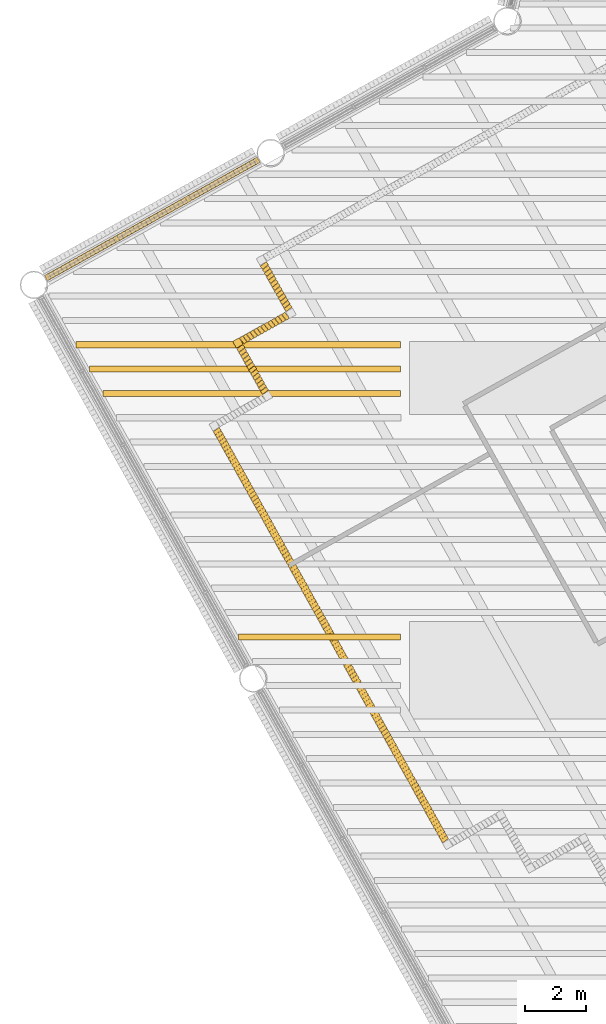
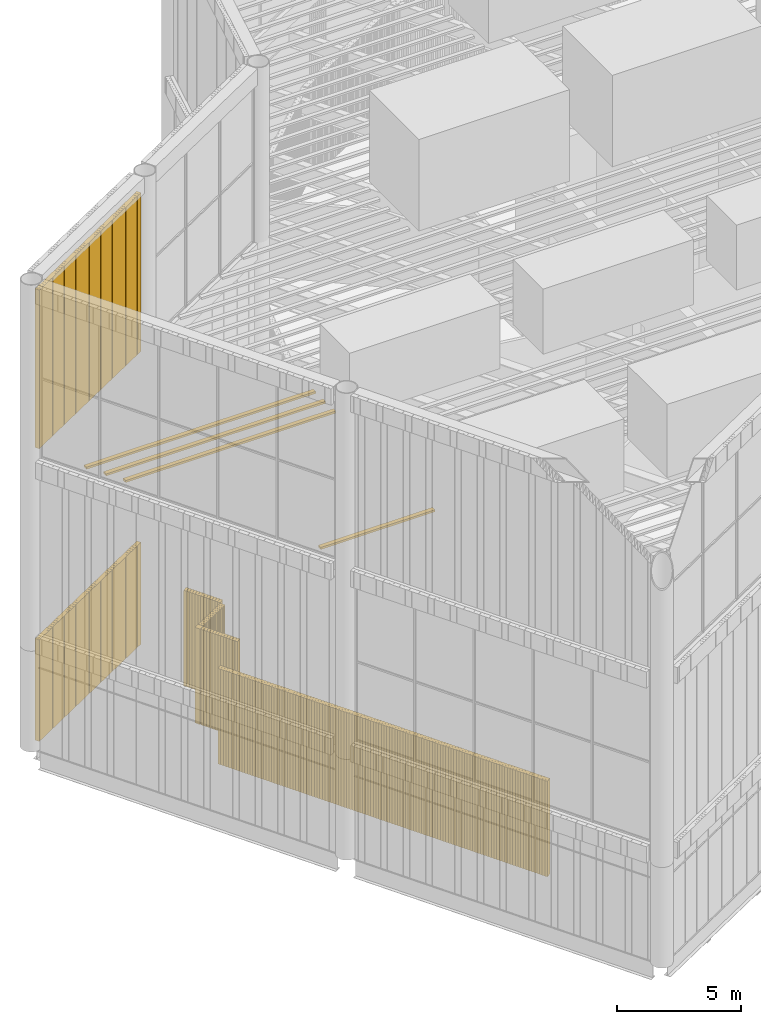
# One storey, part 91 of 117: 9 shading devices, 2 coverings.
"""IFC4 building model written with IfcOpenShell, lengths in metres."""

from ifc_helpers import new_model, si_unit, direction, frame, frame_2d, origin, origin_2d, place, context, subcontext, project, spatial, rectangle, composite_profile, extrude, material, type_object, element, save


model = new_model("IFC4")

# Units and contexts
model_context = context("Model", 3, precision=1e-05, world=origin(), true_north=direction((0.0, 1.0)))
body_context = subcontext(model_context, "Body", "Model", "MODEL_VIEW")
ifc_project = project(units=[si_unit("LENGTHUNIT", "METRE"), si_unit("AREAUNIT", "SQUARE_METRE"), si_unit("VOLUMEUNIT", "CUBIC_METRE"), si_unit("PLANEANGLEUNIT", "RADIAN"), si_unit("MASSUNIT", "GRAM", prefix="KILO")], contexts=[model_context])

# Site, building, storey
site_placement = place(None, origin())
site = spatial("IfcSite", under=ifc_project, at=site_placement, CompositionType="ELEMENT")
building_placement = place(site_placement, origin())
building = spatial("IfcBuilding", under=site, at=building_placement, Name="Tarsis Ring Headquarters", CompositionType="ELEMENT")
storey_placement = place(building_placement, frame((0.0, 0.0, 403.60009765625)))
storey = spatial("IfcBuildingStorey", under=building, at=storey_placement, Name="L95", CompositionType="ELEMENT", Elevation=403.60009765625)

# Coverings
ifc_material_1 = material(Name="Terracotta louvre", Category="masonry")
covering_type = type_object("IfcCoveringType", Name="Crown louvre fin", PredefinedType="CLADDING", material=ifc_material_1)
covering_1_placement = place(storey_placement, frame((-37.214599609375, -3.7890625, 0.0), z_axis=(0.0, 0.0, 1.0), x_axis=(-0.873594132029, -0.486644254279, 0.0)))
element("IfcCovering", 1, at=covering_1_placement, inside=storey, type_object=covering_type, Name="Crown louvre base 15", PredefinedType="CLADDING", context=body_context, shape_type="SweptSolid", body=[
    extrude(composite_profile([rectangle(XDim=0.14501953125, YDim=0.199951171875, at=frame_2d((0.072509765625, 0.0))), rectangle(XDim=0.14501953125, YDim=0.199951171875, at=frame_2d((0.223388671875, 0.0))), rectangle(XDim=0.14501953125, YDim=0.199951171875, at=frame_2d((0.374267578125, 0.0))), rectangle(XDim=0.14501953125, YDim=0.199951171875, at=frame_2d((0.52490234375, 0.0))), rectangle(XDim=0.14501953125, YDim=0.199951171875, at=frame_2d((0.67578125, 0.0))), rectangle(XDim=0.14501953125, YDim=0.199951171875, at=frame_2d((0.82666015625, 0.0))), rectangle(XDim=0.14501953125, YDim=0.199951171875, at=frame_2d((0.9775390625, 0.0))), rectangle(XDim=0.14501953125, YDim=0.199951171875, at=frame_2d((1.12841796875, 0.0))), rectangle(XDim=0.14501953125, YDim=0.199951171875, at=frame_2d((1.279052734375, 0.0))), rectangle(XDim=0.14501953125, YDim=0.199951171875, at=frame_2d((1.429931640625, 0.0))), rectangle(XDim=0.14501953125, YDim=0.199951171875, at=frame_2d((1.580810546875, 0.0))), rectangle(XDim=0.14501953125, YDim=0.199951171875, at=frame_2d((1.731689453125, 0.0))), rectangle(XDim=0.14501953125, YDim=0.199951171875, at=frame_2d((1.882568359375, 0.0))), rectangle(XDim=0.14501953125, YDim=0.199951171875, at=frame_2d((2.033203125, 0.0))), rectangle(XDim=0.14501953125, YDim=0.199951171875, at=frame_2d((2.18408203125, 0.0))), rectangle(XDim=0.14501953125, YDim=0.199951171875, at=frame_2d((2.3349609375, 0.0))), rectangle(XDim=0.14501953125, YDim=0.199951171875, at=frame_2d((2.48583984375, 0.0))), rectangle(XDim=0.14501953125, YDim=0.199951171875, at=frame_2d((2.63671875, 0.0))), rectangle(XDim=0.14501953125, YDim=0.199951171875, at=frame_2d((2.78759765625, 0.0))), rectangle(XDim=0.14501953125, YDim=0.199951171875, at=frame_2d((2.938232421875, 0.0))), rectangle(XDim=0.14501953125, YDim=0.199951171875, at=frame_2d((3.089111328125, 0.0))), rectangle(XDim=0.14501953125, YDim=0.199951171875, at=frame_2d((3.239990234375, 0.0))), rectangle(XDim=0.14501953125, YDim=0.199951171875, at=frame_2d((3.390869140625, 0.0))), rectangle(XDim=0.14501953125, YDim=0.199951171875, at=frame_2d((3.541748046875, 0.0))), rectangle(XDim=0.14501953125, YDim=0.199951171875, at=frame_2d((3.6923828125, 0.0))), rectangle(XDim=0.14501953125, YDim=0.199951171875, at=frame_2d((3.84326171875, 0.0))), rectangle(XDim=0.14501953125, YDim=0.199951171875, at=frame_2d((3.994140625, 0.0))), rectangle(XDim=0.14501953125, YDim=0.199951171875, at=frame_2d((4.14501953125, 0.0))), rectangle(XDim=0.14501953125, YDim=0.199951171875, at=frame_2d((4.2958984375, 0.0))), rectangle(XDim=0.14501953125, YDim=0.199951171875, at=frame_2d((4.446533203125, 0.0))), rectangle(XDim=0.14501953125, YDim=0.199951171875, at=frame_2d((4.597412109375, 0.0))), rectangle(XDim=0.14501953125, YDim=0.199951171875, at=frame_2d((4.748291015625, 0.0))), rectangle(XDim=0.14501953125, YDim=0.199951171875, at=frame_2d((4.899169921875, 0.0))), rectangle(XDim=0.14501953125, YDim=0.199951171875, at=frame_2d((5.050048828125, 0.0))), rectangle(XDim=0.14501953125, YDim=0.199951171875, at=frame_2d((5.20068359375, 0.0))), rectangle(XDim=0.14501953125, YDim=0.199951171875, at=frame_2d((5.3515625, 0.0))), rectangle(XDim=0.14501953125, YDim=0.199951171875, at=frame_2d((5.50244140625, 0.0))), rectangle(XDim=0.14501953125, YDim=0.199951171875, at=frame_2d((5.6533203125, 0.0))), rectangle(XDim=0.14501953125, YDim=0.199951171875, at=frame_2d((5.80419921875, 0.0))), rectangle(XDim=0.14501953125, YDim=0.199951171875, at=frame_2d((5.955078125, 0.0))), rectangle(XDim=0.14501953125, YDim=0.199951171875, at=frame_2d((6.105712890625, 0.0))), rectangle(XDim=0.14501953125, YDim=0.199951171875, at=frame_2d((6.256591796875, 0.0))), rectangle(XDim=0.14501953125, YDim=0.199951171875, at=frame_2d((6.407470703125, 0.0))), rectangle(XDim=0.14501953125, YDim=0.199951171875, at=frame_2d((6.558349609375, 0.0))), rectangle(XDim=0.14501953125, YDim=0.199951171875, at=frame_2d((6.709228515625, 0.0))), rectangle(XDim=0.14501953125, YDim=0.199951171875, at=frame_2d((6.85986328125, 0.0))), rectangle(XDim=0.14501953125, YDim=0.199951171875, at=frame_2d((7.0107421875, 0.0))), rectangle(XDim=0.14501953125, YDim=0.199951171875, at=frame_2d((7.16162109375, 0.0))), rectangle(XDim=0.14501953125, YDim=0.199951171875, at=frame_2d((7.3125, 0.0))), rectangle(XDim=0.14501953125, YDim=0.199951171875, at=frame_2d((7.46337890625, 0.0))), rectangle(XDim=0.14501953125, YDim=0.199951171875, at=frame_2d((7.614013671875, 0.0))), rectangle(XDim=0.14501953125, YDim=0.199951171875, at=frame_2d((7.764892578125, 0.0))), rectangle(XDim=0.14501953125, YDim=0.199951171875, at=frame_2d((7.915771484375, 0.0)))]), origin(), (0.0, 0.0, 1.0), 5.0),
])
covering_2_placement = place(storey_placement, frame((-37.214599609375, -3.7890625, 14.39990234375), z_axis=(0.0, 0.0, 1.0), x_axis=(-0.873594132029, -0.486644254279, 0.0)))
element("IfcCovering", 2, at=covering_2_placement, inside=storey, type_object=covering_type, Name="Crown louvre U15", PredefinedType="CLADDING", context=body_context, shape_type="SweptSolid", body=[
    extrude(composite_profile([rectangle(XDim=0.14501953125, YDim=0.199951171875, at=frame_2d((0.072509765625, 0.0))), rectangle(XDim=0.14501953125, YDim=0.199951171875, at=frame_2d((0.223388671875, 0.0))), rectangle(XDim=0.14501953125, YDim=0.199951171875, at=frame_2d((0.374267578125, 0.0))), rectangle(XDim=0.14501953125, YDim=0.199951171875, at=frame_2d((0.52490234375, 0.0))), rectangle(XDim=0.14501953125, YDim=0.199951171875, at=frame_2d((0.67578125, 0.0))), rectangle(XDim=0.14501953125, YDim=0.199951171875, at=frame_2d((0.82666015625, 0.0))), rectangle(XDim=0.14501953125, YDim=0.199951171875, at=frame_2d((0.9775390625, 0.0))), rectangle(XDim=0.14501953125, YDim=0.199951171875, at=frame_2d((1.12841796875, 0.0))), rectangle(XDim=0.14501953125, YDim=0.199951171875, at=frame_2d((1.279052734375, 0.0))), rectangle(XDim=0.14501953125, YDim=0.199951171875, at=frame_2d((1.429931640625, 0.0))), rectangle(XDim=0.14501953125, YDim=0.199951171875, at=frame_2d((1.580810546875, 0.0))), rectangle(XDim=0.14501953125, YDim=0.199951171875, at=frame_2d((1.731689453125, 0.0))), rectangle(XDim=0.14501953125, YDim=0.199951171875, at=frame_2d((1.882568359375, 0.0))), rectangle(XDim=0.14501953125, YDim=0.199951171875, at=frame_2d((2.033203125, 0.0))), rectangle(XDim=0.14501953125, YDim=0.199951171875, at=frame_2d((2.18408203125, 0.0))), rectangle(XDim=0.14501953125, YDim=0.199951171875, at=frame_2d((2.3349609375, 0.0))), rectangle(XDim=0.14501953125, YDim=0.199951171875, at=frame_2d((2.48583984375, 0.0))), rectangle(XDim=0.14501953125, YDim=0.199951171875, at=frame_2d((2.63671875, 0.0))), rectangle(XDim=0.14501953125, YDim=0.199951171875, at=frame_2d((2.78759765625, 0.0))), rectangle(XDim=0.14501953125, YDim=0.199951171875, at=frame_2d((2.938232421875, 0.0))), rectangle(XDim=0.14501953125, YDim=0.199951171875, at=frame_2d((3.089111328125, 0.0))), rectangle(XDim=0.14501953125, YDim=0.199951171875, at=frame_2d((3.239990234375, 0.0))), rectangle(XDim=0.14501953125, YDim=0.199951171875, at=frame_2d((3.390869140625, 0.0))), rectangle(XDim=0.14501953125, YDim=0.199951171875, at=frame_2d((3.541748046875, 0.0))), rectangle(XDim=0.14501953125, YDim=0.199951171875, at=frame_2d((3.6923828125, 0.0))), rectangle(XDim=0.14501953125, YDim=0.199951171875, at=frame_2d((3.84326171875, 0.0))), rectangle(XDim=0.14501953125, YDim=0.199951171875, at=frame_2d((3.994140625, 0.0))), rectangle(XDim=0.14501953125, YDim=0.199951171875, at=frame_2d((4.14501953125, 0.0))), rectangle(XDim=0.14501953125, YDim=0.199951171875, at=frame_2d((4.2958984375, 0.0))), rectangle(XDim=0.14501953125, YDim=0.199951171875, at=frame_2d((4.446533203125, 0.0))), rectangle(XDim=0.14501953125, YDim=0.199951171875, at=frame_2d((4.597412109375, 0.0))), rectangle(XDim=0.14501953125, YDim=0.199951171875, at=frame_2d((4.748291015625, 0.0))), rectangle(XDim=0.14501953125, YDim=0.199951171875, at=frame_2d((4.899169921875, 0.0))), rectangle(XDim=0.14501953125, YDim=0.199951171875, at=frame_2d((5.050048828125, 0.0))), rectangle(XDim=0.14501953125, YDim=0.199951171875, at=frame_2d((5.20068359375, 0.0))), rectangle(XDim=0.14501953125, YDim=0.199951171875, at=frame_2d((5.3515625, 0.0))), rectangle(XDim=0.14501953125, YDim=0.199951171875, at=frame_2d((5.50244140625, 0.0))), rectangle(XDim=0.14501953125, YDim=0.199951171875, at=frame_2d((5.6533203125, 0.0))), rectangle(XDim=0.14501953125, YDim=0.199951171875, at=frame_2d((5.80419921875, 0.0))), rectangle(XDim=0.14501953125, YDim=0.199951171875, at=frame_2d((5.955078125, 0.0))), rectangle(XDim=0.14501953125, YDim=0.199951171875, at=frame_2d((6.105712890625, 0.0))), rectangle(XDim=0.14501953125, YDim=0.199951171875, at=frame_2d((6.256591796875, 0.0))), rectangle(XDim=0.14501953125, YDim=0.199951171875, at=frame_2d((6.407470703125, 0.0))), rectangle(XDim=0.14501953125, YDim=0.199951171875, at=frame_2d((6.558349609375, 0.0))), rectangle(XDim=0.14501953125, YDim=0.199951171875, at=frame_2d((6.709228515625, 0.0))), rectangle(XDim=0.14501953125, YDim=0.199951171875, at=frame_2d((6.85986328125, 0.0))), rectangle(XDim=0.14501953125, YDim=0.199951171875, at=frame_2d((7.0107421875, 0.0))), rectangle(XDim=0.14501953125, YDim=0.199951171875, at=frame_2d((7.16162109375, 0.0))), rectangle(XDim=0.14501953125, YDim=0.199951171875, at=frame_2d((7.3125, 0.0))), rectangle(XDim=0.14501953125, YDim=0.199951171875, at=frame_2d((7.46337890625, 0.0))), rectangle(XDim=0.14501953125, YDim=0.199951171875, at=frame_2d((7.614013671875, 0.0))), rectangle(XDim=0.14501953125, YDim=0.199951171875, at=frame_2d((7.764892578125, 0.0))), rectangle(XDim=0.14501953125, YDim=0.199951171875, at=frame_2d((7.915771484375, 0.0)))]), origin(), (0.0, 0.0, 1.0), 7.800048828125),
])

# Shading devices
ifc_material_2 = material(Name="Aluminium louvre", Category="aluminium")
shading_device_type_1 = type_object("IfcShadingDeviceType", Name="Crown roof louvre blade", PredefinedType="USERDEFINED", material=ifc_material_2)
shading_device_1_placement = place(storey_placement, frame((-35.2080078125, -19.464111328125, 14.39990234375), z_axis=(0.0, 0.0, 1.0), x_axis=(1.0, 0.0, 0.0)))
element("IfcShadingDevice", 3, at=shading_device_1_placement, inside=storey, type_object=shading_device_type_1, Name="Crown roof louvre 36", ObjectType="Crown roof louvre", PredefinedType="USERDEFINED", context=body_context, shape_type="SweptSolid", body=[
    extrude(rectangle(XDim=5.3115234375, YDim=0.199951171875, at=origin_2d()), origin(), (0.0, 0.0, 1.0), 0.10009765625),
])
shading_device_2_placement = place(storey_placement, frame((-37.436279296875, -11.464111328125, 14.39990234375), z_axis=(0.0, 0.0, 1.0), x_axis=(1.0, 0.0, 0.0)))
element("IfcShadingDevice", 4, at=shading_device_2_placement, inside=storey, type_object=shading_device_type_1, Name="Crown roof louvre 49", ObjectType="Crown roof louvre", PredefinedType="USERDEFINED", context=body_context, shape_type="SweptSolid", body=[
    extrude(rectangle(XDim=9.767822265625, YDim=0.199951171875, at=origin_2d()), origin(), (0.0, 0.0, 1.0), 0.10009765625),
])
shading_device_3_placement = place(storey_placement, frame((-37.6591796875, -10.664306640625, 14.39990234375), z_axis=(0.0, 0.0, 1.0), x_axis=(1.0, 0.0, 0.0)))
element("IfcShadingDevice", 5, at=shading_device_3_placement, inside=storey, type_object=shading_device_type_1, Name="Crown roof louvre 51", ObjectType="Crown roof louvre", PredefinedType="USERDEFINED", context=body_context, shape_type="SweptSolid", body=[
    extrude(rectangle(XDim=10.21337890625, YDim=0.199951171875, at=origin_2d()), origin(), (0.0, 0.0, 1.0), 0.10009765625),
])
shading_device_4_placement = place(storey_placement, frame((-37.8818359375, -9.8642578125, 14.39990234375), z_axis=(0.0, 0.0, 1.0), x_axis=(1.0, 0.0, 0.0)))
element("IfcShadingDevice", 6, at=shading_device_4_placement, inside=storey, type_object=shading_device_type_1, Name="Crown roof louvre 53", ObjectType="Crown roof louvre", PredefinedType="USERDEFINED", context=body_context, shape_type="SweptSolid", body=[
    extrude(rectangle(XDim=10.6591796875, YDim=0.199951171875, at=origin_2d()), origin(), (0.0, 0.0, 1.0), 0.10009765625),
])
shading_device_type_2 = type_object("IfcShadingDeviceType", Name="Plant louvre fin", PredefinedType="USERDEFINED", material=ifc_material_2)
for number, where, z_axis, x_axis, name in (
    (7, (-37.05859375, -7.193359375, 0.0), (0.0, 0.0, 1.0), (0.486746651786, -0.873604910714, 0.0), "Louvre L95-32"),
    (8, (-36.25537109375, -8.892333984375, 0.0), (0.0, 0.0, 1.0), (-0.873604910714, -0.486607142857, 0.0), "Louvre L95-33"),
    (9, (-37.83251953125, -9.913818359375, 0.0), (0.0, 0.0, 1.0), (0.486746651786, -0.873604910714, 0.0), "Louvre L95-34"),
):
    element("IfcShadingDevice", number, at=place(storey_placement, frame(where, z_axis=z_axis, x_axis=x_axis)), inside=storey, type_object=shading_device_type_2, Name=name, ObjectType="Louvre", PredefinedType="USERDEFINED", context=body_context, shape_type="SweptSolid", body=[
        extrude(composite_profile([rectangle(XDim=0.1201171875, YDim=0.239990234375, at=frame_2d((0.078125, 0.0), x_axis=(0.987688340595, 0.15643446504))), rectangle(XDim=0.1201171875, YDim=0.239990234375, at=frame_2d((0.2109375, 0.0), x_axis=(0.987688340595, 0.15643446504))), rectangle(XDim=0.1201171875, YDim=0.239990234375, at=frame_2d((0.34375, 0.0), x_axis=(0.987688340595, 0.15643446504))), rectangle(XDim=0.1201171875, YDim=0.239990234375, at=frame_2d((0.4765625, 0.0), x_axis=(0.987688340595, 0.15643446504))), rectangle(XDim=0.1201171875, YDim=0.239990234375, at=frame_2d((0.609375, 0.0), x_axis=(0.987688340595, 0.15643446504))), rectangle(XDim=0.1201171875, YDim=0.239990234375, at=frame_2d((0.7421875, 0.0), x_axis=(0.987688340595, 0.15643446504))), rectangle(XDim=0.1201171875, YDim=0.239990234375, at=frame_2d((0.875, 0.0), x_axis=(0.987688340595, 0.15643446504))), rectangle(XDim=0.1201171875, YDim=0.239990234375, at=frame_2d((1.0078125, 0.0), x_axis=(0.987688340595, 0.15643446504))), rectangle(XDim=0.1201171875, YDim=0.239990234375, at=frame_2d((1.140625, 0.0), x_axis=(0.987688340595, 0.15643446504))), rectangle(XDim=0.1201171875, YDim=0.239990234375, at=frame_2d((1.2734375, 0.0), x_axis=(0.987688340595, 0.15643446504))), rectangle(XDim=0.1201171875, YDim=0.239990234375, at=frame_2d((1.40625, 0.0), x_axis=(0.987688340595, 0.15643446504))), rectangle(XDim=0.1201171875, YDim=0.239990234375, at=frame_2d((1.5390625, 0.0), x_axis=(0.987688340595, 0.15643446504))), rectangle(XDim=0.1201171875, YDim=0.239990234375, at=frame_2d((1.671875, 0.0), x_axis=(0.987688340595, 0.15643446504)))]), origin(), (0.0, 0.0, 1.0), 4.699951171875),
    ])
shading_device_5_placement = place(storey_placement, frame((-38.6064453125, -12.63427734375, 0.0), z_axis=(0.0, 0.0, 1.0), x_axis=(0.486635480162, -0.873600151207, 0.0)))
element("IfcShadingDevice", 10, at=shading_device_5_placement, inside=storey, type_object=shading_device_type_2, Name="Louvre L95-36", ObjectType="Louvre", PredefinedType="USERDEFINED", context=body_context, shape_type="SweptSolid", body=[
    extrude(composite_profile([rectangle(XDim=0.1201171875, YDim=0.239990234375, at=frame_2d((0.076171875, 0.0), x_axis=(0.990268068742, 0.13917310096))), rectangle(XDim=0.1201171875, YDim=0.239990234375, at=frame_2d((0.201904296875, 0.0), x_axis=(0.990268068742, 0.13917310096))), rectangle(XDim=0.1201171875, YDim=0.239990234375, at=frame_2d((0.327880859375, 0.0), x_axis=(0.990268068742, 0.13917310096))), rectangle(XDim=0.1201171875, YDim=0.239990234375, at=frame_2d((0.45361328125, 0.0), x_axis=(0.990268068742, 0.13917310096))), rectangle(XDim=0.1201171875, YDim=0.239990234375, at=frame_2d((0.579345703125, 0.0), x_axis=(0.990268068742, 0.13917310096))), rectangle(XDim=0.1201171875, YDim=0.239990234375, at=frame_2d((0.705078125, 0.0), x_axis=(0.990268068742, 0.13917310096))), rectangle(XDim=0.1201171875, YDim=0.239990234375, at=frame_2d((0.8310546875, 0.0), x_axis=(0.990268068742, 0.13917310096))), rectangle(XDim=0.1201171875, YDim=0.239990234375, at=frame_2d((0.956787109375, 0.0), x_axis=(0.990268068742, 0.13917310096))), rectangle(XDim=0.1201171875, YDim=0.239990234375, at=frame_2d((1.08251953125, 0.0), x_axis=(0.990268068742, 0.13917310096))), rectangle(XDim=0.1201171875, YDim=0.239990234375, at=frame_2d((1.208251953125, 0.0), x_axis=(0.990268068742, 0.13917310096))), rectangle(XDim=0.1201171875, YDim=0.239990234375, at=frame_2d((1.334228515625, 0.0), x_axis=(0.990268068742, 0.13917310096))), rectangle(XDim=0.1201171875, YDim=0.239990234375, at=frame_2d((1.4599609375, 0.0), x_axis=(0.990268068742, 0.13917310096))), rectangle(XDim=0.1201171875, YDim=0.239990234375, at=frame_2d((1.585693359375, 0.0), x_axis=(0.990268068742, 0.13917310096))), rectangle(XDim=0.1201171875, YDim=0.239990234375, at=frame_2d((1.711669921875, 0.0), x_axis=(0.990268068742, 0.13917310096))), rectangle(XDim=0.1201171875, YDim=0.239990234375, at=frame_2d((1.83740234375, 0.0), x_axis=(0.990268068742, 0.13917310096))), rectangle(XDim=0.1201171875, YDim=0.239990234375, at=frame_2d((1.963134765625, 0.0), x_axis=(0.990268068742, 0.13917310096))), rectangle(XDim=0.1201171875, YDim=0.239990234375, at=frame_2d((2.0888671875, 0.0), x_axis=(0.990268068742, 0.13917310096))), rectangle(XDim=0.1201171875, YDim=0.239990234375, at=frame_2d((2.21484375, 0.0), x_axis=(0.990268068742, 0.13917310096))), rectangle(XDim=0.1201171875, YDim=0.239990234375, at=frame_2d((2.340576171875, 0.0), x_axis=(0.990268068742, 0.13917310096))), rectangle(XDim=0.1201171875, YDim=0.239990234375, at=frame_2d((2.46630859375, 0.0), x_axis=(0.990268068742, 0.13917310096))), rectangle(XDim=0.1201171875, YDim=0.239990234375, at=frame_2d((2.592041015625, 0.0), x_axis=(0.990268068742, 0.13917310096))), rectangle(XDim=0.1201171875, YDim=0.239990234375, at=frame_2d((2.718017578125, 0.0), x_axis=(0.990268068742, 0.13917310096))), rectangle(XDim=0.1201171875, YDim=0.239990234375, at=frame_2d((2.84375, 0.0), x_axis=(0.990268068742, 0.13917310096))), rectangle(XDim=0.1201171875, YDim=0.239990234375, at=frame_2d((2.969482421875, 0.0), x_axis=(0.990268068742, 0.13917310096))), rectangle(XDim=0.1201171875, YDim=0.239990234375, at=frame_2d((3.09521484375, 0.0), x_axis=(0.990268068742, 0.13917310096))), rectangle(XDim=0.1201171875, YDim=0.239990234375, at=frame_2d((3.22119140625, 0.0), x_axis=(0.990268068742, 0.13917310096))), rectangle(XDim=0.1201171875, YDim=0.239990234375, at=frame_2d((3.346923828125, 0.0), x_axis=(0.990268068742, 0.13917310096))), rectangle(XDim=0.1201171875, YDim=0.239990234375, at=frame_2d((3.47265625, 0.0), x_axis=(0.990268068742, 0.13917310096))), rectangle(XDim=0.1201171875, YDim=0.239990234375, at=frame_2d((3.5986328125, 0.0), x_axis=(0.990268068742, 0.13917310096))), rectangle(XDim=0.1201171875, YDim=0.239990234375, at=frame_2d((3.724365234375, 0.0), x_axis=(0.990268068742, 0.13917310096))), rectangle(XDim=0.1201171875, YDim=0.239990234375, at=frame_2d((3.85009765625, 0.0), x_axis=(0.990268068742, 0.13917310096))), rectangle(XDim=0.1201171875, YDim=0.239990234375, at=frame_2d((3.975830078125, 0.0), x_axis=(0.990268068742, 0.13917310096))), rectangle(XDim=0.1201171875, YDim=0.239990234375, at=frame_2d((4.101806640625, 0.0), x_axis=(0.990268068742, 0.13917310096))), rectangle(XDim=0.1201171875, YDim=0.239990234375, at=frame_2d((4.2275390625, 0.0), x_axis=(0.990268068742, 0.13917310096))), rectangle(XDim=0.1201171875, YDim=0.239990234375, at=frame_2d((4.353271484375, 0.0), x_axis=(0.990268068742, 0.13917310096))), rectangle(XDim=0.1201171875, YDim=0.239990234375, at=frame_2d((4.47900390625, 0.0), x_axis=(0.990268068742, 0.13917310096))), rectangle(XDim=0.1201171875, YDim=0.239990234375, at=frame_2d((4.60498046875, 0.0), x_axis=(0.990268068742, 0.13917310096))), rectangle(XDim=0.1201171875, YDim=0.239990234375, at=frame_2d((4.730712890625, 0.0), x_axis=(0.990268068742, 0.13917310096))), rectangle(XDim=0.1201171875, YDim=0.239990234375, at=frame_2d((4.8564453125, 0.0), x_axis=(0.990268068742, 0.13917310096))), rectangle(XDim=0.1201171875, YDim=0.239990234375, at=frame_2d((4.982421875, 0.0), x_axis=(0.990268068742, 0.13917310096))), rectangle(XDim=0.1201171875, YDim=0.239990234375, at=frame_2d((5.108154296875, 0.0), x_axis=(0.990268068742, 0.13917310096))), rectangle(XDim=0.1201171875, YDim=0.239990234375, at=frame_2d((5.23388671875, 0.0), x_axis=(0.990268068742, 0.13917310096))), rectangle(XDim=0.1201171875, YDim=0.239990234375, at=frame_2d((5.359619140625, 0.0), x_axis=(0.990268068742, 0.13917310096))), rectangle(XDim=0.1201171875, YDim=0.239990234375, at=frame_2d((5.485595703125, 0.0), x_axis=(0.990268068742, 0.13917310096))), rectangle(XDim=0.1201171875, YDim=0.239990234375, at=frame_2d((5.611328125, 0.0), x_axis=(0.990268068742, 0.13917310096))), rectangle(XDim=0.1201171875, YDim=0.239990234375, at=frame_2d((5.737060546875, 0.0), x_axis=(0.990268068742, 0.13917310096))), rectangle(XDim=0.1201171875, YDim=0.239990234375, at=frame_2d((5.86279296875, 0.0), x_axis=(0.990268068742, 0.13917310096))), rectangle(XDim=0.1201171875, YDim=0.239990234375, at=frame_2d((5.98876953125, 0.0), x_axis=(0.990268068742, 0.13917310096))), rectangle(XDim=0.1201171875, YDim=0.239990234375, at=frame_2d((6.114501953125, 0.0), x_axis=(0.990268068742, 0.13917310096))), rectangle(XDim=0.1201171875, YDim=0.239990234375, at=frame_2d((6.240234375, 0.0), x_axis=(0.990268068742, 0.13917310096))), rectangle(XDim=0.1201171875, YDim=0.239990234375, at=frame_2d((6.3662109375, 0.0), x_axis=(0.990268068742, 0.13917310096))), rectangle(XDim=0.1201171875, YDim=0.239990234375, at=frame_2d((6.491943359375, 0.0), x_axis=(0.990268068742, 0.13917310096))), rectangle(XDim=0.1201171875, YDim=0.239990234375, at=frame_2d((6.61767578125, 0.0), x_axis=(0.990268068742, 0.13917310096))), rectangle(XDim=0.1201171875, YDim=0.239990234375, at=frame_2d((6.743408203125, 0.0), x_axis=(0.990268068742, 0.13917310096))), rectangle(XDim=0.1201171875, YDim=0.239990234375, at=frame_2d((6.869384765625, 0.0), x_axis=(0.990268068742, 0.13917310096))), rectangle(XDim=0.1201171875, YDim=0.239990234375, at=frame_2d((6.9951171875, 0.0), x_axis=(0.990268068742, 0.13917310096))), rectangle(XDim=0.1201171875, YDim=0.239990234375, at=frame_2d((7.120849609375, 0.0), x_axis=(0.990268068742, 0.13917310096))), rectangle(XDim=0.1201171875, YDim=0.239990234375, at=frame_2d((7.24658203125, 0.0), x_axis=(0.990268068742, 0.13917310096))), rectangle(XDim=0.1201171875, YDim=0.239990234375, at=frame_2d((7.37255859375, 0.0), x_axis=(0.990268068742, 0.13917310096))), rectangle(XDim=0.1201171875, YDim=0.239990234375, at=frame_2d((7.498291015625, 0.0), x_axis=(0.990268068742, 0.13917310096))), rectangle(XDim=0.1201171875, YDim=0.239990234375, at=frame_2d((7.6240234375, 0.0), x_axis=(0.990268068742, 0.13917310096))), rectangle(XDim=0.1201171875, YDim=0.239990234375, at=frame_2d((7.75, 0.0), x_axis=(0.990268068742, 0.13917310096))), rectangle(XDim=0.1201171875, YDim=0.239990234375, at=frame_2d((7.875732421875, 0.0), x_axis=(0.990268068742, 0.13917310096))), rectangle(XDim=0.1201171875, YDim=0.239990234375, at=frame_2d((8.00146484375, 0.0), x_axis=(0.990268068742, 0.13917310096))), rectangle(XDim=0.1201171875, YDim=0.239990234375, at=frame_2d((8.127197265625, 0.0), x_axis=(0.990268068742, 0.13917310096))), rectangle(XDim=0.1201171875, YDim=0.239990234375, at=frame_2d((8.253173828125, 0.0), x_axis=(0.990268068742, 0.13917310096))), rectangle(XDim=0.1201171875, YDim=0.239990234375, at=frame_2d((8.37890625, 0.0), x_axis=(0.990268068742, 0.13917310096))), rectangle(XDim=0.1201171875, YDim=0.239990234375, at=frame_2d((8.504638671875, 0.0), x_axis=(0.990268068742, 0.13917310096))), rectangle(XDim=0.1201171875, YDim=0.239990234375, at=frame_2d((8.63037109375, 0.0), x_axis=(0.990268068742, 0.13917310096))), rectangle(XDim=0.1201171875, YDim=0.239990234375, at=frame_2d((8.75634765625, 0.0), x_axis=(0.990268068742, 0.13917310096))), rectangle(XDim=0.1201171875, YDim=0.239990234375, at=frame_2d((8.882080078125, 0.0), x_axis=(0.990268068742, 0.13917310096))), rectangle(XDim=0.1201171875, YDim=0.239990234375, at=frame_2d((9.0078125, 0.0), x_axis=(0.990268068742, 0.13917310096))), rectangle(XDim=0.1201171875, YDim=0.239990234375, at=frame_2d((9.133544921875, 0.0), x_axis=(0.990268068742, 0.13917310096))), rectangle(XDim=0.1201171875, YDim=0.239990234375, at=frame_2d((9.259521484375, 0.0), x_axis=(0.990268068742, 0.13917310096))), rectangle(XDim=0.1201171875, YDim=0.239990234375, at=frame_2d((9.38525390625, 0.0), x_axis=(0.990268068742, 0.13917310096))), rectangle(XDim=0.1201171875, YDim=0.239990234375, at=frame_2d((9.510986328125, 0.0), x_axis=(0.990268068742, 0.13917310096))), rectangle(XDim=0.1201171875, YDim=0.239990234375, at=frame_2d((9.636962890625, 0.0), x_axis=(0.990268068742, 0.13917310096))), rectangle(XDim=0.1201171875, YDim=0.239990234375, at=frame_2d((9.7626953125, 0.0), x_axis=(0.990268068742, 0.13917310096))), rectangle(XDim=0.1201171875, YDim=0.239990234375, at=frame_2d((9.888427734375, 0.0), x_axis=(0.990268068742, 0.13917310096))), rectangle(XDim=0.1201171875, YDim=0.239990234375, at=frame_2d((10.01416015625, 0.0), x_axis=(0.990268068742, 0.13917310096))), rectangle(XDim=0.1201171875, YDim=0.239990234375, at=frame_2d((10.14013671875, 0.0), x_axis=(0.990268068742, 0.13917310096))), rectangle(XDim=0.1201171875, YDim=0.239990234375, at=frame_2d((10.265869140625, 0.0), x_axis=(0.990268068742, 0.13917310096))), rectangle(XDim=0.1201171875, YDim=0.239990234375, at=frame_2d((10.3916015625, 0.0), x_axis=(0.990268068742, 0.13917310096))), rectangle(XDim=0.1201171875, YDim=0.239990234375, at=frame_2d((10.517333984375, 0.0), x_axis=(0.990268068742, 0.13917310096))), rectangle(XDim=0.1201171875, YDim=0.239990234375, at=frame_2d((10.643310546875, 0.0), x_axis=(0.990268068742, 0.13917310096))), rectangle(XDim=0.1201171875, YDim=0.239990234375, at=frame_2d((10.76904296875, 0.0), x_axis=(0.990268068742, 0.13917310096))), rectangle(XDim=0.1201171875, YDim=0.239990234375, at=frame_2d((10.894775390625, 0.0), x_axis=(0.990268068742, 0.13917310096))), rectangle(XDim=0.1201171875, YDim=0.239990234375, at=frame_2d((11.020751953125, 0.0), x_axis=(0.990268068742, 0.13917310096))), rectangle(XDim=0.1201171875, YDim=0.239990234375, at=frame_2d((11.146484375, 0.0), x_axis=(0.990268068742, 0.13917310096))), rectangle(XDim=0.1201171875, YDim=0.239990234375, at=frame_2d((11.272216796875, 0.0), x_axis=(0.990268068742, 0.13917310096))), rectangle(XDim=0.1201171875, YDim=0.239990234375, at=frame_2d((11.39794921875, 0.0), x_axis=(0.990268068742, 0.13917310096))), rectangle(XDim=0.1201171875, YDim=0.239990234375, at=frame_2d((11.52392578125, 0.0), x_axis=(0.990268068742, 0.13917310096))), rectangle(XDim=0.1201171875, YDim=0.239990234375, at=frame_2d((11.649658203125, 0.0), x_axis=(0.990268068742, 0.13917310096))), rectangle(XDim=0.1201171875, YDim=0.239990234375, at=frame_2d((11.775390625, 0.0), x_axis=(0.990268068742, 0.13917310096))), rectangle(XDim=0.1201171875, YDim=0.239990234375, at=frame_2d((11.901123046875, 0.0), x_axis=(0.990268068742, 0.13917310096))), rectangle(XDim=0.1201171875, YDim=0.239990234375, at=frame_2d((12.027099609375, 0.0), x_axis=(0.990268068742, 0.13917310096))), rectangle(XDim=0.1201171875, YDim=0.239990234375, at=frame_2d((12.15283203125, 0.0), x_axis=(0.990268068742, 0.13917310096))), rectangle(XDim=0.1201171875, YDim=0.239990234375, at=frame_2d((12.278564453125, 0.0), x_axis=(0.990268068742, 0.13917310096))), rectangle(XDim=0.1201171875, YDim=0.239990234375, at=frame_2d((12.404541015625, 0.0), x_axis=(0.990268068742, 0.13917310096))), rectangle(XDim=0.1201171875, YDim=0.239990234375, at=frame_2d((12.5302734375, 0.0), x_axis=(0.990268068742, 0.13917310096))), rectangle(XDim=0.1201171875, YDim=0.239990234375, at=frame_2d((12.656005859375, 0.0), x_axis=(0.990268068742, 0.13917310096))), rectangle(XDim=0.1201171875, YDim=0.239990234375, at=frame_2d((12.78173828125, 0.0), x_axis=(0.990268068742, 0.13917310096))), rectangle(XDim=0.1201171875, YDim=0.239990234375, at=frame_2d((12.90771484375, 0.0), x_axis=(0.990268068742, 0.13917310096))), rectangle(XDim=0.1201171875, YDim=0.239990234375, at=frame_2d((13.033447265625, 0.0), x_axis=(0.990268068742, 0.13917310096))), rectangle(XDim=0.1201171875, YDim=0.239990234375, at=frame_2d((13.1591796875, 0.0), x_axis=(0.990268068742, 0.13917310096))), rectangle(XDim=0.1201171875, YDim=0.239990234375, at=frame_2d((13.284912109375, 0.0), x_axis=(0.990268068742, 0.13917310096))), rectangle(XDim=0.1201171875, YDim=0.239990234375, at=frame_2d((13.410888671875, 0.0), x_axis=(0.990268068742, 0.13917310096))), rectangle(XDim=0.1201171875, YDim=0.239990234375, at=frame_2d((13.53662109375, 0.0), x_axis=(0.990268068742, 0.13917310096))), rectangle(XDim=0.1201171875, YDim=0.239990234375, at=frame_2d((13.662353515625, 0.0), x_axis=(0.990268068742, 0.13917310096))), rectangle(XDim=0.1201171875, YDim=0.239990234375, at=frame_2d((13.7880859375, 0.0), x_axis=(0.990268068742, 0.13917310096))), rectangle(XDim=0.1201171875, YDim=0.239990234375, at=frame_2d((13.9140625, 0.0), x_axis=(0.990268068742, 0.13917310096))), rectangle(XDim=0.1201171875, YDim=0.239990234375, at=frame_2d((14.039794921875, 0.0), x_axis=(0.990268068742, 0.13917310096))), rectangle(XDim=0.1201171875, YDim=0.239990234375, at=frame_2d((14.16552734375, 0.0), x_axis=(0.990268068742, 0.13917310096))), rectangle(XDim=0.1201171875, YDim=0.239990234375, at=frame_2d((14.29150390625, 0.0), x_axis=(0.990268068742, 0.13917310096))), rectangle(XDim=0.1201171875, YDim=0.239990234375, at=frame_2d((14.417236328125, 0.0), x_axis=(0.990268068742, 0.13917310096))), rectangle(XDim=0.1201171875, YDim=0.239990234375, at=frame_2d((14.54296875, 0.0), x_axis=(0.990268068742, 0.13917310096))), rectangle(XDim=0.1201171875, YDim=0.239990234375, at=frame_2d((14.668701171875, 0.0), x_axis=(0.990268068742, 0.13917310096))), rectangle(XDim=0.1201171875, YDim=0.239990234375, at=frame_2d((14.794677734375, 0.0), x_axis=(0.990268068742, 0.13917310096))), rectangle(XDim=0.1201171875, YDim=0.239990234375, at=frame_2d((14.92041015625, 0.0), x_axis=(0.990268068742, 0.13917310096))), rectangle(XDim=0.1201171875, YDim=0.239990234375, at=frame_2d((15.046142578125, 0.0), x_axis=(0.990268068742, 0.13917310096))), rectangle(XDim=0.1201171875, YDim=0.239990234375, at=frame_2d((15.171875, 0.0), x_axis=(0.990268068742, 0.13917310096))), rectangle(XDim=0.1201171875, YDim=0.239990234375, at=frame_2d((15.2978515625, 0.0), x_axis=(0.990268068742, 0.13917310096))), rectangle(XDim=0.1201171875, YDim=0.239990234375, at=frame_2d((15.423583984375, 0.0), x_axis=(0.990268068742, 0.13917310096)))]), origin(), (0.0, 0.0, 1.0), 4.699951171875),
])
ifc_material_3 = material(Name="Terracotta baguette", Category="masonry")
shading_device_type_3 = type_object("IfcShadingDeviceType", Name="Terracotta corner baguette 250x250", PredefinedType="USERDEFINED", material=ifc_material_3)
shading_device_6_placement = place(storey_placement, frame((-37.893310546875, -9.8046875, 0.0), z_axis=(0.0, 0.0, 1.0), x_axis=(-0.873602364265, -0.486640431068, 0.0)))
element("IfcShadingDevice", 11, at=shading_device_6_placement, inside=storey, type_object=shading_device_type_3, Name="Corner baguette L95-34", ObjectType="Terracotta corner baguette", PredefinedType="USERDEFINED", context=body_context, shape_type="SweptSolid", body=[
    extrude(rectangle(XDim=0.25, YDim=0.25, at=origin_2d()), origin(), (0.0, 0.0, 1.0), 4.699951171875),
])

save(model, "model.ifc")
